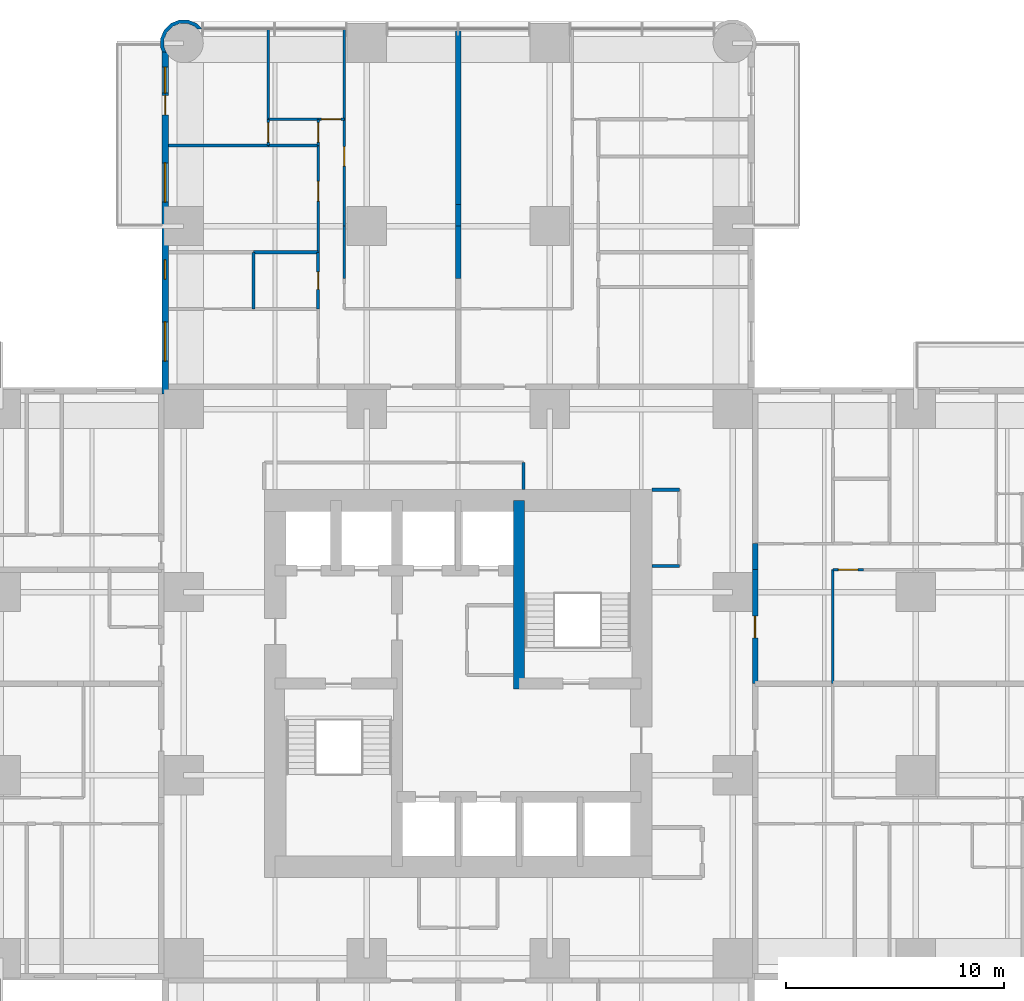
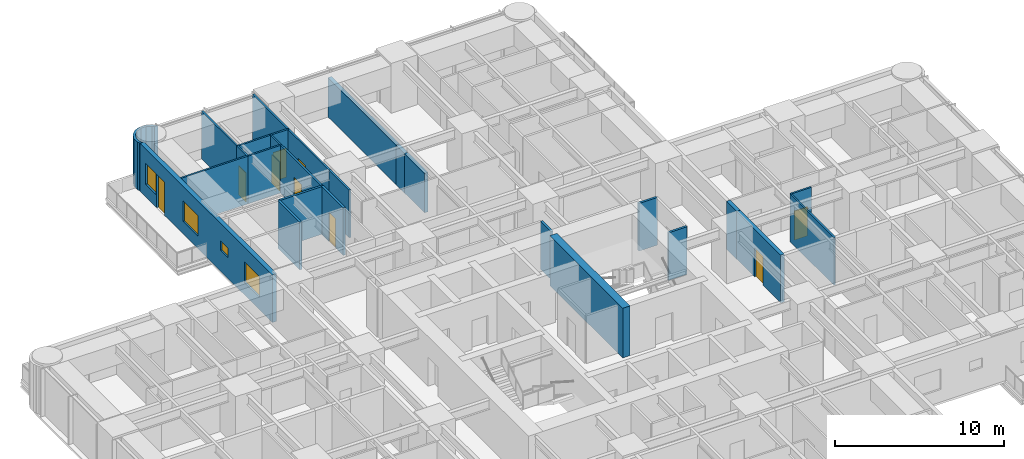
# One storey, part 13 of 17: 27 walls, 9 doors, 4 windows, 13 openings.
"""IFC4 building model written with IfcOpenShell, lengths in metres."""

from ifc_helpers import new_model, si_unit, direction, frame, frame_2d, origin, place, context, subcontext, project, spatial, polyline, rectangle, outline, extrude, material, layer, layer_set, type_object, element, fill, save


model = new_model("IFC4")

# Units and contexts
model_context = context("Model", 3, precision=1e-05, world=origin(), true_north=direction((0.0, 1.0)))
body_context = subcontext(model_context, "Body", "Model", "MODEL_VIEW")
ifc_project = project(units=[si_unit("LENGTHUNIT", "METRE"), si_unit("AREAUNIT", "SQUARE_METRE"), si_unit("VOLUMEUNIT", "CUBIC_METRE"), si_unit("PLANEANGLEUNIT", "RADIAN"), si_unit("MASSUNIT", "GRAM", prefix="KILO")], contexts=[model_context])

# Site, building, storey
site_placement = place(None, origin())
site = spatial("IfcSite", under=ifc_project, at=site_placement, CompositionType="ELEMENT")
building_placement = place(site_placement, origin())
building = spatial("IfcBuilding", under=site, at=building_placement, Name="Torre Alcanfor", CompositionType="ELEMENT")
storey_placement = place(building_placement, frame((0.0, 0.0, 41.699951171875)))
storey = spatial("IfcBuildingStorey", under=building, at=storey_placement, Name="L09", CompositionType="ELEMENT", Elevation=41.699951171875)

# Wall, opening, door
ifc_material_1 = material(Name="Concrete block masonry, hollow blocks NMX-C-404 9 MPa", Category="masonry")
ifc_layer_1 = layer(ifc_material_1, 0.25)
ifc_layer_set_1 = layer_set([ifc_layer_1], Name="Apartment entrance wall 250 EI 60")
wall_type_1 = type_object("IfcWallType", Name="Apartment entrance wall 250 EI 60", PredefinedType="PARTITIONING", material=ifc_layer_set_1)
wall_1_placement = place(storey_placement, frame((43.02490234375, 34.62890625, 0.0), z_axis=(0.0, 0.0, 1.0), x_axis=(0.0, -1.0, 0.0)))
wall_1 = element("IfcWall", 1, at=wall_1_placement, inside=storey, type_object=wall_type_1, Name="Partition L09-CORR / L09-E1-ZAG", PredefinedType="PARTITIONING", context=body_context, shape_type="SweptSolid", body=[
    extrude(rectangle(XDim=5.22900390625, YDim=0.25, at=frame_2d((2.614501953125, 0.0))), origin(), (0.0, 0.0, 1.0), 3.449951171875),
])
opening_1_placement = place(wall_1_placement, frame((2.12890625, 0.0, 0.0)))
opening_1 = element("IfcOpeningElement", 2, at=opening_1_placement, cuts=wall_1, Name="Opening D-A1", PredefinedType="OPENING", context=body_context, shape_type="SweptSolid", body=[
    extrude(rectangle(XDim=1.0, YDim=2.10009765625, at=frame_2d((0.5, 1.050048828125))), frame((0.0, 0.135009765625, 0.0), z_axis=(0.0, -1.0, 0.0), x_axis=(1.0, 0.0, 0.0)), (0.0, 0.0, 1.0), 0.27001953125),
])
ifc_material_2 = material(Name="Galvanised steel sheet ASTM A653", Category="steel")
door_type_1 = type_object("IfcDoorType", Name="Apartment entrance door FD60 1000x2100", OperationType="SINGLE_SWING_LEFT", PredefinedType="DOOR", material=ifc_material_2)
door_1_placement = place(opening_1_placement, origin())
door_1 = element("IfcDoor", 3, at=door_1_placement, inside=storey, type_object=door_type_1, Name="Apartment entrance L09-E1", OperationType="SINGLE_SWING_RIGHT", OverallHeight=2.10009765625, OverallWidth=1.0, PredefinedType="DOOR", context=body_context, shape_type="SweptSolid", body=[
    extrude(rectangle(XDim=1.0, YDim=2.10009765625, at=frame_2d((0.5, 1.050048828125))), frame((0.0, 0.02490234375, 0.0), z_axis=(0.0, -1.0, 0.0), x_axis=(1.0, 0.0, 0.0)), (0.0, 0.0, 1.0), 0.050048828125),
])
fill(opening_1, door_1)

# Walls
wall_2_placement = place(storey_placement, frame((43.02490234375, 35.8291015625, 0.0), z_axis=(0.0, 0.0, 1.0), x_axis=(0.0, -1.0, 0.0)))
element("IfcWall", 4, at=wall_2_placement, inside=storey, type_object=wall_type_1, Name="Partition L09-CORR / L09-E1-HALL", PredefinedType="PARTITIONING", context=body_context, shape_type="SweptSolid", body=[
    extrude(rectangle(XDim=1.2001953125, YDim=0.25, at=frame_2d((0.60009765625, 0.0))), origin(), (0.0, 0.0, 1.0), 3.449951171875),
])
ifc_material_3 = material(Name="Gypsum board on steel studs", Category="steel")
ifc_layer_2 = layer(ifc_material_3, 0.1201171875)
ifc_layer_set_2 = layer_set([ifc_layer_2], Name="Apartment partition 120")
wall_type_2 = type_object("IfcWallType", Name="Apartment partition 120", PredefinedType="PARTITIONING", material=ifc_layer_set_2)
wall_3_placement = place(storey_placement, frame((24.1708984375, 50.39990234375, 0.0), z_axis=(0.0, 0.0, 1.0), x_axis=(0.0, -1.0, 0.0)))
element("IfcWall", 5, at=wall_3_placement, inside=storey, type_object=wall_type_2, Name="Partition L09-N1-KITCHEN / L09-N1-HALL", PredefinedType="PARTITIONING", context=body_context, shape_type="SweptSolid", body=[
    extrude(rectangle(XDim=2.39990234375, YDim=0.1201171875, at=frame_2d((1.199951171875, 0.0))), origin(), (0.0, 0.0, 1.0), 3.449951171875),
])

# Wall, opening, door
wall_4_placement = place(storey_placement, frame((24.1708984375, 55.300048828125, 0.0), z_axis=(0.0, 0.0, 1.0), x_axis=(0.0, -1.0, 0.0)))
wall_4 = element("IfcWall", 6, at=wall_4_placement, inside=storey, type_object=wall_type_2, Name="Partition L09-N1-LIVING / L09-N1-HALL", PredefinedType="PARTITIONING", context=body_context, shape_type="SweptSolid", body=[
    extrude(rectangle(XDim=4.900146484375, YDim=0.1201171875, at=frame_2d((2.4501953125, 0.0))), origin(), (0.0, 0.0, 1.0), 3.449951171875),
])
opening_2_placement = place(wall_4_placement, frame((1.25, 0.0, 0.0)))
opening_2 = element("IfcOpeningElement", 7, at=opening_2_placement, cuts=wall_4, Name="Opening D-R1", PredefinedType="OPENING", context=body_context, shape_type="SweptSolid", body=[
    extrude(rectangle(XDim=0.89990234375, YDim=2.10009765625, at=frame_2d((0.449951171875, 1.050048828125))), frame((0.0, 0.070068359375, 0.0), z_axis=(0.0, -1.0, 0.0), x_axis=(1.0, 0.0, 0.0)), (0.0, 0.0, 1.0), 0.14013671875),
])
ifc_material_4 = material(Name="Timber", Category="wood")
door_type_2 = type_object("IfcDoorType", Name="Internal door 900x2100", OperationType="SINGLE_SWING_LEFT", PredefinedType="DOOR", material=ifc_material_4)
door_2_placement = place(opening_2_placement, origin())
door_2 = element("IfcDoor", 8, at=door_2_placement, inside=storey, type_object=door_type_2, Name="Door L09-N1 living", OperationType="SINGLE_SWING_RIGHT", OverallHeight=2.10009765625, OverallWidth=0.89990234375, PredefinedType="DOOR", context=body_context, shape_type="SweptSolid", body=[
    extrude(rectangle(XDim=0.89990234375, YDim=2.10009765625, at=frame_2d((0.449951171875, 1.050048828125))), frame((0.0, 0.02490234375, 0.0), z_axis=(0.0, -1.0, 0.0), x_axis=(1.0, 0.0, 0.0)), (0.0, 0.0, 1.0), 0.050048828125),
])
fill(opening_2, door_2)

# Wall
wall_5_placement = place(storey_placement, frame((24.1708984375, 59.449951171875, 0.0), z_axis=(0.0, 0.0, 1.0), x_axis=(0.0, -1.0, 0.0)))
element("IfcWall", 9, at=wall_5_placement, inside=storey, type_object=wall_type_2, Name="Partition L09-N1-LIVING / L09-N1-BED2", PredefinedType="PARTITIONING", context=body_context, shape_type="SweptSolid", body=[
    extrude(rectangle(XDim=4.14990234375, YDim=0.1201171875, at=frame_2d((2.074951171875, 0.0))), origin(), (0.0, 0.0, 1.0), 3.449951171875),
])

# Wall, opening, door
wall_6_placement = place(storey_placement, frame((22.970947265625, 54.10009765625, 0.0), z_axis=(0.0, 0.0, 1.0), x_axis=(0.0, -1.0, 0.0)))
wall_6 = element("IfcWall", 10, at=wall_6_placement, inside=storey, type_object=wall_type_2, Name="Partition L09-N1-HALL / L09-N1-BED3", PredefinedType="PARTITIONING", context=body_context, shape_type="SweptSolid", body=[
    extrude(rectangle(XDim=4.900146484375, YDim=0.1201171875, at=frame_2d((2.4501953125, 0.0))), origin(), (0.0, 0.0, 1.0), 3.449951171875),
])
opening_3_placement = place(wall_6_placement, frame((1.64990234375, 0.0, 0.0)))
opening_3 = element("IfcOpeningElement", 11, at=opening_3_placement, cuts=wall_6, Name="Opening D-R1", PredefinedType="OPENING", context=body_context, shape_type="SweptSolid", body=[
    extrude(rectangle(XDim=0.89990234375, YDim=2.10009765625, at=frame_2d((0.449951171875, 1.050048828125))), frame((0.0, 0.070068359375, 0.0), z_axis=(0.0, -1.0, 0.0), x_axis=(1.0, 0.0, 0.0)), (0.0, 0.0, 1.0), 0.14013671875),
])
door_3_placement = place(opening_3_placement, frame((0.89990234375, 0.0, 0.0), z_axis=(0.0, 0.0, 1.0), x_axis=(-1.0, 0.0, 0.0)))
door_3 = element("IfcDoor", 12, at=door_3_placement, inside=storey, type_object=door_type_2, Name="Door L09-N1 bed3", OperationType="SINGLE_SWING_RIGHT", OverallHeight=2.10009765625, OverallWidth=0.89990234375, PredefinedType="DOOR", context=body_context, shape_type="SweptSolid", body=[
    extrude(rectangle(XDim=0.89990234375, YDim=2.10009765625, at=frame_2d((0.449951171875, 1.050048828125))), frame((0.0, 0.025146484375, 0.0), z_axis=(0.0, -1.0, 0.0), x_axis=(1.0, 0.0, 0.0)), (0.0, 0.0, 1.0), 0.050048828125),
])
fill(opening_3, door_3)

wall_7_placement = place(storey_placement, frame((22.970947265625, 55.300048828125, 0.0), z_axis=(0.0, 0.0, 1.0), x_axis=(0.0, -1.0, 0.0)))
wall_7 = element("IfcWall", 13, at=wall_7_placement, inside=storey, type_object=wall_type_2, Name="Partition L09-N1-HALL / L09-N1-VEST", PredefinedType="PARTITIONING", context=body_context, shape_type="SweptSolid", body=[
    extrude(rectangle(XDim=1.199951171875, YDim=0.1201171875, at=frame_2d((0.60009765625, 0.0))), origin(), (0.0, 0.0, 1.0), 3.449951171875),
])
opening_4_placement = place(wall_7_placement, frame((0.14990234375, 0.0, 0.0)))
opening_4 = element("IfcOpeningElement", 14, at=opening_4_placement, cuts=wall_7, Name="Opening D-R1", PredefinedType="OPENING", context=body_context, shape_type="SweptSolid", body=[
    extrude(rectangle(XDim=0.89990234375, YDim=2.10009765625, at=frame_2d((0.449951171875, 1.050048828125))), frame((0.0, 0.070068359375, 0.0), z_axis=(0.0, -1.0, 0.0), x_axis=(1.0, 0.0, 0.0)), (0.0, 0.0, 1.0), 0.14013671875),
])
door_4_placement = place(opening_4_placement, frame((0.89990234375, 0.0, 0.0), z_axis=(0.0, 0.0, 1.0), x_axis=(-1.0, 0.0, 0.0)))
door_4 = element("IfcDoor", 15, at=door_4_placement, inside=storey, type_object=door_type_2, Name="Door L09-N1 vest", OperationType="SINGLE_SWING_RIGHT", OverallHeight=2.10009765625, OverallWidth=0.89990234375, PredefinedType="DOOR", context=body_context, shape_type="SweptSolid", body=[
    extrude(rectangle(XDim=0.89990234375, YDim=2.10009765625, at=frame_2d((0.449951171875, 1.050048828125))), frame((0.0, 0.025146484375, 0.0), z_axis=(0.0, -1.0, 0.0), x_axis=(1.0, 0.0, 0.0)), (0.0, 0.0, 1.0), 0.050048828125),
])
fill(opening_4, door_4)

wall_8_placement = place(storey_placement, frame((24.1708984375, 55.300048828125, 0.0), z_axis=(0.0, 0.0, 1.0), x_axis=(-1.0, 0.0, 0.0)))
wall_8 = element("IfcWall", 16, at=wall_8_placement, inside=storey, type_object=wall_type_2, Name="Partition L09-N1-HALL / L09-N1-BED2", PredefinedType="PARTITIONING", context=body_context, shape_type="SweptSolid", body=[
    extrude(rectangle(XDim=1.199951171875, YDim=0.1201171875, at=frame_2d((0.60009765625, 0.0))), origin(), (0.0, 0.0, 1.0), 3.449951171875),
])
opening_5_placement = place(wall_8_placement, frame((0.15087890625, 0.0, 0.0)))
opening_5 = element("IfcOpeningElement", 17, at=opening_5_placement, cuts=wall_8, Name="Opening D-R1", PredefinedType="OPENING", context=body_context, shape_type="SweptSolid", body=[
    extrude(rectangle(XDim=0.89990234375, YDim=2.10009765625, at=frame_2d((0.449951171875, 1.050048828125))), frame((0.0, 0.070068359375, 0.0), z_axis=(0.0, -1.0, 0.0), x_axis=(1.0, 0.0, 0.0)), (0.0, 0.0, 1.0), 0.14013671875),
])
door_5_placement = place(opening_5_placement, frame((0.89990234375, 0.0, 0.0), z_axis=(0.0, 0.0, 1.0), x_axis=(-1.0, 0.0, 0.0)))
door_5 = element("IfcDoor", 18, at=door_5_placement, inside=storey, type_object=door_type_2, Name="Door L09-N1 bed2", OperationType="SINGLE_SWING_RIGHT", OverallHeight=2.10009765625, OverallWidth=0.89990234375, PredefinedType="DOOR", context=body_context, shape_type="SweptSolid", body=[
    extrude(rectangle(XDim=0.89990234375, YDim=2.10009765625, at=frame_2d((0.449951171875, 1.050048828125))), frame((0.0, 0.025146484375, 0.0), z_axis=(0.0, -1.0, 0.0), x_axis=(1.0, 0.0, 0.0)), (0.0, 0.0, 1.0), 0.050048828125),
])
fill(opening_5, door_5)

# Walls
wall_9_placement = place(storey_placement, frame((22.970947265625, 54.10009765625, 0.0), z_axis=(0.0, 0.0, 1.0), x_axis=(-1.0, 0.0, 0.0)))
element("IfcWall", 19, at=wall_9_placement, inside=storey, type_object=wall_type_2, Name="Partition L09-N1-BED3 / L09-N1-VEST", PredefinedType="PARTITIONING", context=body_context, shape_type="SweptSolid", body=[
    extrude(rectangle(XDim=2.284912109375, YDim=0.1201171875, at=frame_2d((1.142578125, 0.0))), origin(), (0.0, 0.0, 1.0), 3.449951171875),
])
wall_10_placement = place(storey_placement, frame((20.68603515625, 54.10009765625, 0.0), z_axis=(0.0, 0.0, 1.0), x_axis=(-1.0, 0.0, 0.0)))
element("IfcWall", 20, at=wall_10_placement, inside=storey, type_object=wall_type_2, Name="Partition L09-N1-BED3 / L09-N1-MASTER", PredefinedType="PARTITIONING", context=body_context, shape_type="SweptSolid", body=[
    extrude(rectangle(XDim=4.5859375, YDim=0.1201171875, at=frame_2d((2.29296875, 0.0))), origin(), (0.0, 0.0, 1.0), 3.449951171875),
])
wall_11_placement = place(storey_placement, frame((22.970947265625, 55.300048828125, 0.0), z_axis=(0.0, 0.0, 1.0), x_axis=(-1.0, 0.0, 0.0)))
element("IfcWall", 21, at=wall_11_placement, inside=storey, type_object=wall_type_2, Name="Partition L09-N1-VEST / L09-N1-BED2", PredefinedType="PARTITIONING", context=body_context, shape_type="SweptSolid", body=[
    extrude(rectangle(XDim=2.284912109375, YDim=0.1201171875, at=frame_2d((1.142578125, 0.0))), origin(), (0.0, 0.0, 1.0), 3.449951171875),
])

# Wall, opening, door
wall_12_placement = place(storey_placement, frame((20.68603515625, 55.300048828125, 0.0), z_axis=(0.0, 0.0, 1.0), x_axis=(0.0, -1.0, 0.0)))
wall_12 = element("IfcWall", 22, at=wall_12_placement, inside=storey, type_object=wall_type_2, Name="Partition L09-N1-VEST / L09-N1-MASTER", PredefinedType="PARTITIONING", context=body_context, shape_type="SweptSolid", body=[
    extrude(rectangle(XDim=1.199951171875, YDim=0.1201171875, at=frame_2d((0.60009765625, 0.0))), origin(), (0.0, 0.0, 1.0), 3.449951171875),
])
opening_6_placement = place(wall_12_placement, frame((0.14990234375, 0.0, 0.0)))
opening_6 = element("IfcOpeningElement", 23, at=opening_6_placement, cuts=wall_12, Name="Opening D-R1", PredefinedType="OPENING", context=body_context, shape_type="SweptSolid", body=[
    extrude(rectangle(XDim=0.89990234375, YDim=2.10009765625, at=frame_2d((0.449951171875, 1.050048828125))), frame((0.0, 0.070068359375, 0.0), z_axis=(0.0, -1.0, 0.0), x_axis=(1.0, 0.0, 0.0)), (0.0, 0.0, 1.0), 0.14013671875),
])
door_6_placement = place(opening_6_placement, origin())
door_6 = element("IfcDoor", 24, at=door_6_placement, inside=storey, type_object=door_type_2, Name="Door L09-N1 master", OperationType="SINGLE_SWING_LEFT", OverallHeight=2.10009765625, OverallWidth=0.89990234375, PredefinedType="DOOR", context=body_context, shape_type="SweptSolid", body=[
    extrude(rectangle(XDim=0.89990234375, YDim=2.10009765625, at=frame_2d((0.449951171875, 1.050048828125))), frame((0.0, 0.02490234375, 0.0), z_axis=(0.0, -1.0, 0.0), x_axis=(1.0, 0.0, 0.0)), (0.0, 0.0, 1.0), 0.050048828125),
])
fill(opening_6, door_6)

# Walls
wall_13_placement = place(storey_placement, frame((20.68603515625, 59.449951171875, 0.0), z_axis=(0.0, 0.0, 1.0), x_axis=(0.0, -1.0, 0.0)))
element("IfcWall", 25, at=wall_13_placement, inside=storey, type_object=wall_type_2, Name="Partition L09-N1-BED2 / L09-N1-MASTER", PredefinedType="PARTITIONING", context=body_context, shape_type="SweptSolid", body=[
    extrude(rectangle(XDim=4.14990234375, YDim=0.1201171875, at=frame_2d((2.074951171875, 0.0))), origin(), (0.0, 0.0, 1.0), 3.449951171875),
])
wall_14_placement = place(storey_placement, frame((46.60009765625, 29.39990234375, 0.0), z_axis=(0.0, 0.0, 1.0), x_axis=(0.0, 1.0, 0.0)))
element("IfcWall", 26, at=wall_14_placement, inside=storey, type_object=wall_type_2, Name="Partition L09-E1-ZAG / L09-E1-LAUND", PredefinedType="PARTITIONING", context=body_context, shape_type="SweptSolid", body=[
    extrude(rectangle(XDim=5.22900390625, YDim=0.1201171875, at=frame_2d((2.614501953125, 0.0))), origin(), (0.0, 0.0, 1.0), 3.449951171875),
])

# Wall, opening, door
wall_15_placement = place(storey_placement, frame((48.0, 34.62890625, 0.0), z_axis=(0.0, 0.0, 1.0), x_axis=(-1.0, 0.0, 0.0)))
wall_15 = element("IfcWall", 27, at=wall_15_placement, inside=storey, type_object=wall_type_2, Name="Partition L09-E1-LAUND / L09-E1-HALL", PredefinedType="PARTITIONING", context=body_context, shape_type="SweptSolid", body=[
    extrude(rectangle(XDim=1.39990234375, YDim=0.1201171875, at=frame_2d((0.699951171875, 0.0))), origin(), (0.0, 0.0, 1.0), 3.449951171875),
])
opening_7_placement = place(wall_15_placement, frame((0.25, 0.0, 0.0)))
opening_7 = element("IfcOpeningElement", 28, at=opening_7_placement, cuts=wall_15, Name="Opening D-R1", PredefinedType="OPENING", context=body_context, shape_type="SweptSolid", body=[
    extrude(rectangle(XDim=0.89990234375, YDim=2.10009765625, at=frame_2d((0.449951171875, 1.050048828125))), frame((0.0, 0.070068359375, 0.0), z_axis=(0.0, -1.0, 0.0), x_axis=(1.0, 0.0, 0.0)), (0.0, 0.0, 1.0), 0.14013671875),
])
door_7_placement = place(opening_7_placement, origin())
door_7 = element("IfcDoor", 29, at=door_7_placement, inside=storey, type_object=door_type_2, Name="Door L09-E1 laund", OperationType="SINGLE_SWING_LEFT", OverallHeight=2.10009765625, OverallWidth=0.89990234375, PredefinedType="DOOR", context=body_context, shape_type="SweptSolid", body=[
    extrude(rectangle(XDim=0.89990234375, YDim=2.10009765625, at=frame_2d((0.449951171875, 1.050048828125))), frame((0.0, 0.02490234375, 0.0), z_axis=(0.0, -1.0, 0.0), x_axis=(1.0, 0.0, 0.0)), (0.0, 0.0, 1.0), 0.050048828125),
])
fill(opening_7, door_7)

# Wall
ifc_material_5 = material(Name="Concrete f'c 70 MPa", Category="concrete")
ifc_layer_3 = layer(ifc_material_5, 0.5)
ifc_layer_set_3 = layer_set([ifc_layer_3], Name="Core inner wall 500 f'c70")
wall_type_3 = type_object("IfcWallType", Name="Core inner wall 500 f'c70", PredefinedType="SHEAR", material=ifc_layer_set_3)
wall_16_placement = place(storey_placement, frame((32.199951171875, 29.14990234375, 0.0), z_axis=(0.0, 0.0, 1.0), x_axis=(0.0, 1.0, 0.0)))
element("IfcWall", 30, at=wall_16_placement, inside=storey, type_object=wall_type_3, Name="Core wall X322N L09", PredefinedType="SHEAR", context=body_context, shape_type="SweptSolid", body=[
    extrude(rectangle(XDim=8.650146484375, YDim=0.5, at=frame_2d((4.3251953125, 0.0))), origin(), (0.0, 0.0, 1.0), 3.60009765625),
])

# Wall, openings, door, windows
ifc_material_6 = material(Name="Limestone cladding", Category="masonry")
ifc_layer_4 = layer(ifc_material_6, 0.0400390625, Name="Facing")
ifc_material_7 = material(Name="Ventilated air cavity")
ifc_layer_5 = layer(ifc_material_7, 0.02001953125, ventilated=True, Name="Ventilated joint")
ifc_material_8 = material(Name="Mineral wool insulation", Category="insulation")
ifc_layer_6 = layer(ifc_material_8, 0.10009765625, Name="Insulation")
ifc_material_9 = material(Name="Concrete f'c 35 MPa", Category="concrete")
ifc_layer_7 = layer(ifc_material_9, 0.139892578125, Name="Backing")
ifc_layer_set_4 = layer_set([ifc_layer_4, ifc_layer_5, ifc_layer_6, ifc_layer_7], Name="External wall stone-clad 300")
wall_type_4 = type_object("IfcWallType", Name="External wall stone-clad 300", PredefinedType="SOLIDWALL", material=ifc_layer_set_4)
wall_17_placement = place(storey_placement, frame((15.949951171875, 58.39990234375, 0.0), z_axis=(0.0, 0.0, 1.0), x_axis=(0.0, -1.0, 0.0)))
wall_17 = element("IfcWall", 31, at=wall_17_placement, inside=storey, type_object=wall_type_4, Name="External wall L09 12", PredefinedType="SOLIDWALL", context=body_context, shape_type="SweptSolid", body=[
    extrude(rectangle(XDim=15.699951171875, YDim=0.300048828125, at=frame_2d((7.85009765625, 0.0))), origin(), (0.0, 0.0, 1.0), 3.449951171875),
])
opening_8_placement = place(wall_17_placement, frame((12.39990234375, 0.0, 0.89990234375)))
opening_8 = element("IfcOpeningElement", 32, at=opening_8_placement, cuts=wall_17, Name="Opening W2", PredefinedType="OPENING", context=body_context, shape_type="SweptSolid", body=[
    extrude(rectangle(XDim=1.800048828125, YDim=1.5, at=frame_2d((0.89990234375, 0.75))), frame((0.0, 0.159912109375, 0.0), z_axis=(0.0, -1.0, 0.0), x_axis=(1.0, 0.0, 0.0)), (0.0, 0.0, 1.0), 0.320068359375),
])
opening_9_placement = place(wall_17_placement, frame((9.550048828125, 0.0, 1.5)))
opening_9 = element("IfcOpeningElement", 33, at=opening_9_placement, cuts=wall_17, Name="Opening W3", PredefinedType="OPENING", context=body_context, shape_type="SweptSolid", body=[
    extrude(rectangle(XDim=0.89990234375, YDim=0.699951171875, at=frame_2d((0.449951171875, 0.35009765625))), frame((0.0, 0.159912109375, 0.0), z_axis=(0.0, -1.0, 0.0), x_axis=(1.0, 0.0, 0.0)), (0.0, 0.0, 1.0), 0.320068359375),
])
opening_10_placement = place(wall_17_placement, frame((5.10009765625, 0.0, 0.89990234375)))
opening_10 = element("IfcOpeningElement", 34, at=opening_10_placement, cuts=wall_17, Name="Opening W2", PredefinedType="OPENING", context=body_context, shape_type="SweptSolid", body=[
    extrude(rectangle(XDim=1.800048828125, YDim=1.5, at=frame_2d((0.89990234375, 0.75))), frame((0.0, 0.159912109375, 0.0), z_axis=(0.0, -1.0, 0.0), x_axis=(1.0, 0.0, 0.0)), (0.0, 0.0, 1.0), 0.320068359375),
])
opening_11_placement = place(wall_17_placement, frame((2.0, 0.0, 0.0)))
opening_11 = element("IfcOpeningElement", 35, at=opening_11_placement, cuts=wall_17, Name="Opening D-B1", PredefinedType="OPENING", context=body_context, shape_type="SweptSolid", body=[
    extrude(rectangle(XDim=0.89990234375, YDim=2.39990234375, at=frame_2d((0.449951171875, 1.199951171875))), frame((0.0, 0.159912109375, 0.0), z_axis=(0.0, -1.0, 0.0), x_axis=(1.0, 0.0, 0.0)), (0.0, 0.0, 1.0), 0.320068359375),
])
opening_12_placement = place(wall_17_placement, frame((0.699951171875, 0.0, 0.89990234375)))
opening_12 = element("IfcOpeningElement", 36, at=opening_12_placement, cuts=wall_17, Name="Opening W4", PredefinedType="OPENING", context=body_context, shape_type="SweptSolid", body=[
    extrude(rectangle(XDim=1.199951171875, YDim=1.5, at=frame_2d((0.60009765625, 0.75))), frame((0.0, 0.159912109375, 0.0), z_axis=(0.0, -1.0, 0.0), x_axis=(1.0, 0.0, 0.0)), (0.0, 0.0, 1.0), 0.320068359375),
])
ifc_material_10 = material(Name="Aluminium and glass", Category="aluminium")
door_type_3 = type_object("IfcDoorType", Name="Balcony door glazed 900x2400", OperationType="SINGLE_SWING_LEFT", PredefinedType="DOOR", material=ifc_material_10)
door_8_placement = place(opening_11_placement, origin())
door_8 = element("IfcDoor", 37, at=door_8_placement, inside=storey, type_object=door_type_3, Name="Balcony door L09-N1", OperationType="SINGLE_SWING_RIGHT", OverallHeight=2.39990234375, OverallWidth=0.89990234375, PredefinedType="DOOR", context=body_context, shape_type="SweptSolid", body=[
    extrude(rectangle(XDim=0.89990234375, YDim=2.39990234375, at=frame_2d((0.449951171875, 1.199951171875))), frame((0.0, 0.02490234375, 0.0), z_axis=(0.0, -1.0, 0.0), x_axis=(1.0, 0.0, 0.0)), (0.0, 0.0, 1.0), 0.050048828125),
])
fill(opening_11, door_8)
ifc_material_11 = material(Name="Aluminium frame with clear double glazing", Category="aluminium")
window_type_1 = type_object("IfcWindowType", Name="Window bathroom 900x700", PartitioningType="SINGLE_PANEL", PredefinedType="WINDOW", material=ifc_material_11)
window_1_placement = place(opening_9_placement, origin())
window_1 = element("IfcWindow", 38, at=window_1_placement, inside=storey, type_object=window_type_1, Name="Window W3 L09-N1", OverallHeight=0.699951171875, OverallWidth=0.89990234375, PartitioningType="SINGLE_PANEL", PredefinedType="WINDOW", context=body_context, shape_type="SweptSolid", body=[
    extrude(rectangle(XDim=0.89990234375, YDim=0.699951171875, at=frame_2d((0.449951171875, 0.35009765625))), frame((0.0, 0.030029296875, 0.0), z_axis=(0.0, -1.0, 0.0), x_axis=(1.0, 0.0, 0.0)), (0.0, 0.0, 1.0), 0.06005859375),
])
fill(opening_9, window_1)
ifc_material_12 = material(Name="Aluminium frame with clear double glazing", Category="aluminium")
window_type_2 = type_object("IfcWindowType", Name="Window bedroom 1200x1500", PartitioningType="SINGLE_PANEL", PredefinedType="WINDOW", material=ifc_material_12)
window_2_placement = place(opening_12_placement, origin())
window_2 = element("IfcWindow", 39, at=window_2_placement, inside=storey, type_object=window_type_2, Name="Window W4 L09-N1", OverallHeight=1.5, OverallWidth=1.199951171875, PartitioningType="SINGLE_PANEL", PredefinedType="WINDOW", context=body_context, shape_type="SweptSolid", body=[
    extrude(rectangle(XDim=1.199951171875, YDim=1.5, at=frame_2d((0.60009765625, 0.75))), frame((0.0, 0.030029296875, 0.0), z_axis=(0.0, -1.0, 0.0), x_axis=(1.0, 0.0, 0.0)), (0.0, 0.0, 1.0), 0.06005859375),
])
fill(opening_12, window_2)
ifc_material_13 = material(Name="Aluminium frame with clear double glazing", Category="aluminium")
window_type_3 = type_object("IfcWindowType", Name="Window bedroom 1800x1500", PartitioningType="SINGLE_PANEL", PredefinedType="WINDOW", material=ifc_material_13)
window_3_placement = place(opening_8_placement, origin())
window_3 = element("IfcWindow", 40, at=window_3_placement, inside=storey, type_object=window_type_3, Name="Window W2 L09-N1", OverallHeight=1.5, OverallWidth=1.800048828125, PartitioningType="SINGLE_PANEL", PredefinedType="WINDOW", context=body_context, shape_type="SweptSolid", body=[
    extrude(rectangle(XDim=1.800048828125, YDim=1.5, at=frame_2d((0.89990234375, 0.75))), frame((0.0, 0.030029296875, 0.0), z_axis=(0.0, -1.0, 0.0), x_axis=(1.0, 0.0, 0.0)), (0.0, 0.0, 1.0), 0.06005859375),
])
fill(opening_8, window_3)
window_4_placement = place(opening_10_placement, origin())
window_4 = element("IfcWindow", 41, at=window_4_placement, inside=storey, type_object=window_type_3, Name="Window W2 L09-N1", OverallHeight=1.5, OverallWidth=1.800048828125, PartitioningType="SINGLE_PANEL", PredefinedType="WINDOW", context=body_context, shape_type="SweptSolid", body=[
    extrude(rectangle(XDim=1.800048828125, YDim=1.5, at=frame_2d((0.89990234375, 0.75))), frame((0.0, 0.030029296875, 0.0), z_axis=(0.0, -1.0, 0.0), x_axis=(1.0, 0.0, 0.0)), (0.0, 0.0, 1.0), 0.06005859375),
])
fill(opening_10, window_4)

# Walls
ifc_material_14 = material(Name="Concrete block masonry, hollow blocks NMX-C-404 9 MPa", Category="masonry")
ifc_layer_8 = layer(ifc_material_14, 0.25)
ifc_layer_set_5 = layer_set([ifc_layer_8], Name="Party wall 250 EI 60")
wall_type_5 = type_object("IfcWallType", Name="Party wall 250 EI 60", PredefinedType="PARTITIONING", material=ifc_layer_set_5)
wall_18_placement = place(storey_placement, frame((29.39990234375, 48.0, 0.0), z_axis=(0.0, 0.0, 1.0), x_axis=(0.0, 1.0, 0.0)))
element("IfcWall", 42, at=wall_18_placement, inside=storey, type_object=wall_type_5, Name="Partition L09-N1-KITCHEN / L09-N2-KITCHEN", PredefinedType="PARTITIONING", context=body_context, shape_type="SweptSolid", body=[
    extrude(rectangle(XDim=2.39990234375, YDim=0.25, at=frame_2d((1.199951171875, 0.0))), origin(), (0.0, 0.0, 1.0), 2.84814453125),
])
wall_19_placement = place(storey_placement, frame((29.39990234375, 50.39990234375, 0.0), z_axis=(0.0, 0.0, 1.0), x_axis=(0.0, 1.0, 0.0)))
element("IfcWall", 43, at=wall_19_placement, inside=storey, type_object=wall_type_5, Name="Partition L09-N1-LIVING / L09-N2-KITCHEN", PredefinedType="PARTITIONING", context=body_context, shape_type="SweptSolid", body=[
    extrude(rectangle(XDim=1.0, YDim=0.25, at=frame_2d((0.5, 0.0))), origin(), (0.0, 0.0, 1.0), 2.84814453125),
])
wall_20_placement = place(storey_placement, frame((29.39990234375, 51.39990234375, 0.0), z_axis=(0.0, 0.0, 1.0), x_axis=(0.0, 1.0, 0.0)))
element("IfcWall", 44, at=wall_20_placement, inside=storey, type_object=wall_type_5, Name="Partition L09-N1-LIVING / L09-N2-LIVING", PredefinedType="PARTITIONING", context=body_context, shape_type="SweptSolid", body=[
    extrude(rectangle(XDim=8.050048828125, YDim=0.25, at=frame_2d((4.02490234375, 0.0))), origin(), (0.0, 0.0, 1.0), 2.84814453125),
])
ifc_material_15 = material(Name="Concrete block masonry, hollow blocks NMX-C-404 9 MPa", Category="masonry")
ifc_layer_9 = layer(ifc_material_15, 0.14990234375)
ifc_layer_set_6 = layer_set([ifc_layer_9], Name="Residents' room partition 150")
wall_type_6 = type_object("IfcWallType", Name="Residents' room partition 150", PredefinedType="PARTITIONING", material=ifc_layer_set_6)
for number, where, z_axis, x_axis, name in (
    (45, (32.39990234375, 38.300048828125, 0.0), (0.0, 0.0, 1.0), (0.0, 1.0, 0.0), "Partition L09-CORR / L09-G01"),
    (46, (38.300048828125, 34.800048828125, 0.0), (0.0, 0.0, 1.0), (1.0, 0.0, 0.0), "Partition L09-CORR / L09-G03"),
    (47, (39.550048828125, 38.300048828125, 0.0), (0.0, 0.0, 1.0), (-1.0, 0.0, 0.0), "Partition L09-CORR / L09-G03"),
):
    element("IfcWall", number, at=place(storey_placement, frame(where, z_axis=z_axis, x_axis=x_axis)), inside=storey, type_object=wall_type_6, Name=name, PredefinedType="PARTITIONING", context=body_context, shape_type="SweptSolid", body=[
        extrude(rectangle(XDim=1.25, YDim=0.14990234375, at=frame_2d((0.625, 0.0))), origin(), (0.0, 0.0, 1.0), 3.449951171875),
    ])
ifc_layer_10 = layer(ifc_material_6, 0.0400390625, Name="Facing")
ifc_layer_11 = layer(ifc_material_7, 0.02001953125, ventilated=True, Name="Ventilated joint")
ifc_layer_12 = layer(ifc_material_8, 0.10009765625, Name="Insulation")
ifc_layer_13 = layer(ifc_material_9, 0.139892578125, Name="Backing")
ifc_layer_set_7 = layer_set([ifc_layer_10, ifc_layer_11, ifc_layer_12, ifc_layer_13], Name="Rounded corner pier stone-clad 300")
wall_type_7 = type_object("IfcWallType", Name="Rounded corner pier stone-clad 300", PredefinedType="SOLIDWALL", material=ifc_layer_set_7)
wall_21_placement = place(storey_placement, frame((17.56659392, 59.410519256, 0.0), z_axis=(0.0, 0.0, 1.0), x_axis=(-0.377204953059, 0.926129809145, 0.0)))
element("IfcWall", 48, at=wall_21_placement, inside=storey, type_object=wall_type_7, Name="Corner pier L09 20", PredefinedType="SOLIDWALL", context=body_context, shape_type="SweptSolid", body=[
    extrude(outline(polyline([(-0.2696128896034876, 2.017259773730947), (-0.3700074466497617, 1.8406682313445892), (-0.10228391712117135, 1.84234447704578), (0.22963955939869596, 1.7071548112521016), (0.48448400216769655, 1.4552078217286728), (0.623591424193435, 1.1249193736895309), (0.6256953869469392, 0.7663384814459974), (0.4905057211532608, 0.43441500492612994), (0.23855873162983204, 0.17957056215712927), (0.0901868556189969, 0.11689353267829827), (0.010896458992050665, -0.07778365620699182), (0.024462813618203284, -0.08330911938656994), (0.3293875956360306, 0.04530321995417183), (0.4799529344667901, 0.19750641360159463), (0.4990544088845829, 0.19262629437695172), (0.507600976756774, 0.22526044306054033), (0.6260470289213595, 0.34520397592848606), (0.7850882774402169, 0.7356888832512456), (0.7822913942554518, 1.1572920874778148), (0.618751344370654, 1.5460366857348715), (0.3187584973433468, 1.8424700131097647), (-0.07172640997941271, 2.0015112616286217), (-0.24006791291721008, 2.0004813020300714), (-0.2696128896034876, 2.017259773730947)])), origin(), (0.0, 0.0, 1.0), 3.449951171875),
])

# Wall, opening, door
ifc_material_16 = material(Name="Cement board on steel studs", Category="steel")
ifc_layer_14 = layer(ifc_material_16, 0.14990234375)
ifc_layer_set_8 = layer_set([ifc_layer_14], Name="Wet area partition 150")
wall_type_8 = type_object("IfcWallType", Name="Wet area partition 150", PredefinedType="PARTITIONING", material=ifc_layer_set_8)
wall_22_placement = place(storey_placement, frame((22.970947265625, 49.199951171875, 0.0), z_axis=(0.0, 0.0, 1.0), x_axis=(0.0, -1.0, 0.0)))
wall_22 = element("IfcWall", 49, at=wall_22_placement, inside=storey, type_object=wall_type_8, Name="Partition L09-N1-HALL / L09-N1-BATH1", PredefinedType="PARTITIONING", context=body_context, shape_type="SweptSolid", body=[
    extrude(rectangle(XDim=2.599853515625, YDim=0.14990234375, at=frame_2d((1.2998046875, 0.0))), origin(), (0.0, 0.0, 1.0), 3.449951171875),
])
opening_13_placement = place(wall_22_placement, frame((0.89990234375, 0.0, 0.0)))
opening_13 = element("IfcOpeningElement", 50, at=opening_13_placement, cuts=wall_22, Name="Opening D-R2", PredefinedType="OPENING", context=body_context, shape_type="SweptSolid", body=[
    extrude(rectangle(XDim=0.800048828125, YDim=2.10009765625, at=frame_2d((0.39990234375, 1.050048828125))), frame((0.0, 0.0849609375, 0.0), z_axis=(0.0, -1.0, 0.0), x_axis=(1.0, 0.0, 0.0)), (0.0, 0.0, 1.0), 0.169921875),
])
ifc_material_17 = material(Name="Timber", Category="wood")
door_type_4 = type_object("IfcDoorType", Name="Bathroom door 800x2100", OperationType="SINGLE_SWING_LEFT", PredefinedType="DOOR", material=ifc_material_17)
door_9_placement = place(opening_13_placement, frame((0.800048828125, 0.0, 0.0), z_axis=(0.0, 0.0, 1.0), x_axis=(-1.0, 0.0, 0.0)))
door_9 = element("IfcDoor", 51, at=door_9_placement, inside=storey, type_object=door_type_4, Name="Door L09-N1 bath1", OperationType="SINGLE_SWING_RIGHT", OverallHeight=2.10009765625, OverallWidth=0.800048828125, PredefinedType="DOOR", context=body_context, shape_type="SweptSolid", body=[
    extrude(rectangle(XDim=0.800048828125, YDim=2.10009765625, at=frame_2d((0.400146484375, 1.050048828125))), frame((0.0, 0.025146484375, 0.0), z_axis=(0.0, -1.0, 0.0), x_axis=(1.0, 0.0, 0.0)), (0.0, 0.0, 1.0), 0.050048828125),
])
fill(opening_13, door_9)

# Walls
wall_23_placement = place(storey_placement, frame((20.0, 49.199951171875, 0.0), z_axis=(0.0, 0.0, 1.0), x_axis=(0.0, -1.0, 0.0)))
element("IfcWall", 52, at=wall_23_placement, inside=storey, type_object=wall_type_8, Name="Partition L09-N1-BATH1 / L09-N1-SBATH", PredefinedType="PARTITIONING", context=body_context, shape_type="SweptSolid", body=[
    extrude(rectangle(XDim=2.599853515625, YDim=0.14990234375, at=frame_2d((1.2998046875, 0.0))), origin(), (0.0, 0.0, 1.0), 3.449951171875),
])
wall_24_placement = place(storey_placement, frame((22.970947265625, 49.199951171875, 0.0), z_axis=(0.0, 0.0, 1.0), x_axis=(-1.0, 0.0, 0.0)))
element("IfcWall", 53, at=wall_24_placement, inside=storey, type_object=wall_type_8, Name="Partition L09-N1-BATH1 / L09-N1-BED3", PredefinedType="PARTITIONING", context=body_context, shape_type="SweptSolid", body=[
    extrude(rectangle(XDim=2.970947265625, YDim=0.14990234375, at=frame_2d((1.4853515625, 0.0))), origin(), (0.0, 0.0, 1.0), 3.449951171875),
])

save(model, "model.ifc")
